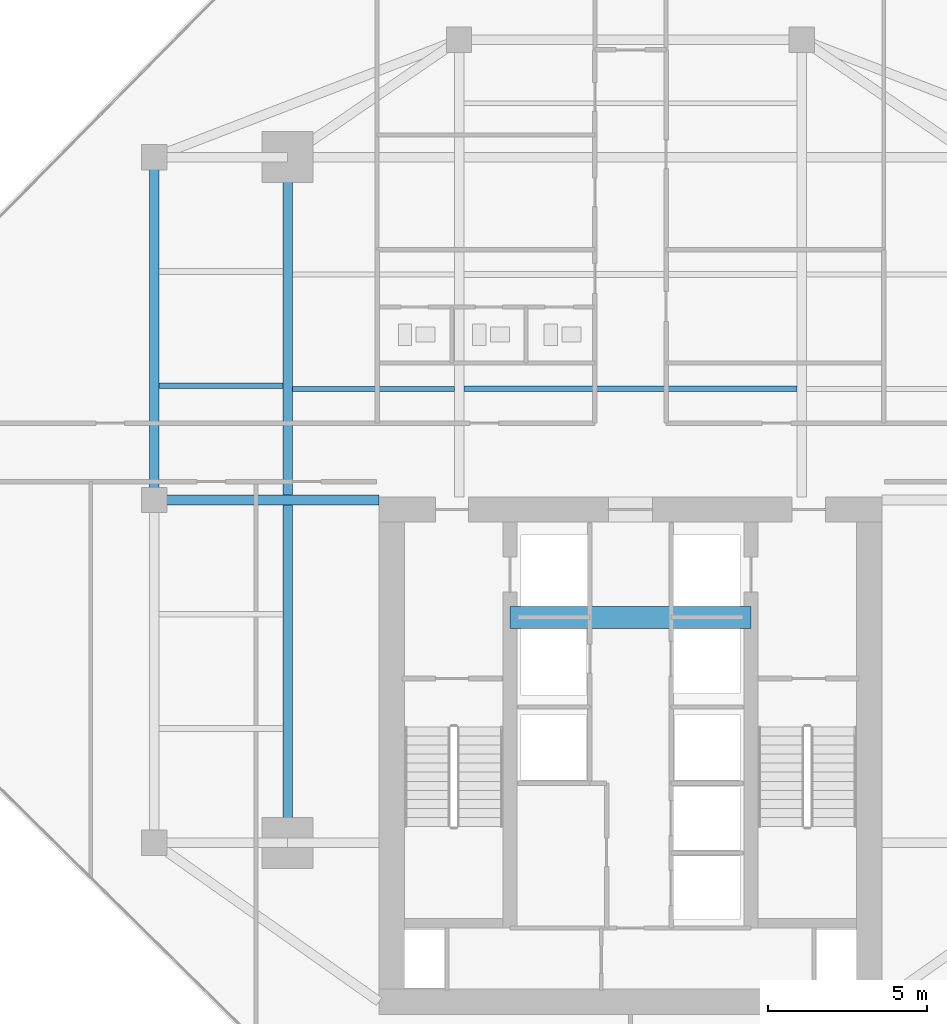
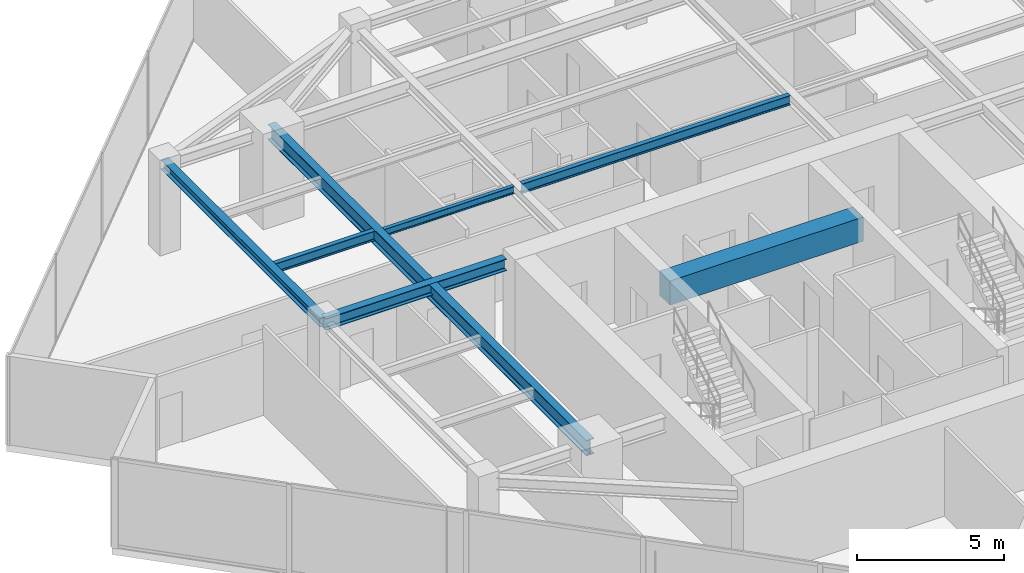
# One storey, part 8 of 24: 7 beams.
"""IFC4 building model written with IfcOpenShell, lengths in metres."""

from ifc_helpers import new_model, si_unit, direction, frame, origin, origin_2d, place, context, subcontext, project, spatial, rectangle, i_section, extrude, source, transform, mapped, material, material_profile, profile_set, type_object, type_shapes, element, save


model = new_model("IFC4")

# Units and contexts
model_context = context("Model", 3, precision=1e-05, world=origin(), true_north=direction((0.0, 1.0)))
body_context = subcontext(model_context, "Body", "Model", "MODEL_VIEW")
ifc_project = project(units=[si_unit("LENGTHUNIT", "METRE"), si_unit("AREAUNIT", "SQUARE_METRE"), si_unit("VOLUMEUNIT", "CUBIC_METRE"), si_unit("PLANEANGLEUNIT", "RADIAN"), si_unit("MASSUNIT", "GRAM", prefix="KILO")], contexts=[model_context])

# Site, building, storey
site_placement = place(None, origin())
site = spatial("IfcSite", under=ifc_project, at=site_placement, CompositionType="ELEMENT")
building_placement = place(site_placement, origin())
building = spatial("IfcBuilding", under=site, at=building_placement, Name="Krantzveldt Concourse Tower", CompositionType="ELEMENT")
storey_placement = place(building_placement, frame((0.0, 0.0, 231.0)))
storey = spatial("IfcBuildingStorey", under=building, at=storey_placement, Name="L56", CompositionType="ELEMENT", Elevation=231.0)

# Beams
ifc_material_1 = material(Name="Steel S355JR", Category="steel")
ifc_material_profile_1 = material_profile(ifc_material_1, i_section(OverallWidth=0.300048828125, OverallDepth=0.639892578125, WebThickness=0.013427734375, FlangeThickness=0.02587890625, FilletRadius=0.027099609375, at=origin_2d()), Name="Steel S355JR", Category="steel")
ifc_profile_set_1 = profile_set([ifc_material_profile_1], Name="Steel S355JR - HEA 650")
beam_type_1 = type_object("IfcBeamType", Name="BM-B-HEA650", PredefinedType="BEAM", material=ifc_profile_set_1)
shared_shape_1 = source(origin(), body_context, "Body", "SweptSolid", [
    extrude(i_section(OverallWidth=0.300048828125, OverallDepth=0.639892578125, WebThickness=0.013427734375, FlangeThickness=0.02587890625, FilletRadius=0.027099609375, at=origin_2d()), origin(), (0.0, 0.0, 1.0), 21.60009765625),
])
type_shapes(beam_type_1, [shared_shape_1])
beam_1_placement = place(storey_placement, frame((25.199951171875, 15.89990234375, 3.35009765625), z_axis=(0.0, 1.0, 0.0), x_axis=(-1.0, 0.0, 0.0)))
element("IfcBeam", 1, at=beam_1_placement, inside=storey, type_object=beam_type_1, Name="L56 Tower Girder BG-MW", PredefinedType="BEAM", context=body_context, shape_type="MappedRepresentation", body=[
    mapped(shared_shape_1, transform((0.0, 0.0, 0.0), x_axis=(1.0, 0.0, 0.0), y_axis=(0.0, 1.0, 0.0), z_axis=(0.0, 0.0, 1.0), scale=1.0)),
])
ifc_material_profile_2 = material_profile(ifc_material_1, i_section(OverallWidth=0.179931640625, OverallDepth=0.39990234375, WebThickness=0.008544921875, FlangeThickness=0.013427734375, FilletRadius=0.02099609375, at=origin_2d()), Name="Steel S355JR", Category="steel")
ifc_profile_set_2 = profile_set([ifc_material_profile_2], Name="Steel S355JR - IPE 400")
beam_type_2 = type_object("IfcBeamType", Name="BM-J-IPE400", PredefinedType="JOIST", material=ifc_profile_set_2)
shared_shape_2 = source(origin(), body_context, "Body", "SweptSolid", [
    extrude(i_section(OverallWidth=0.179931640625, OverallDepth=0.39990234375, WebThickness=0.008544921875, FlangeThickness=0.013427734375, FilletRadius=0.02099609375, at=origin_2d()), origin(), (0.0, 0.0, 1.0), 10.5),
])
beam_2_placement = place(storey_placement, frame((30.75, 30.199951171875, 3.469970703125), z_axis=(1.0, 0.0, 0.0), x_axis=(0.0, 1.0, 0.0)))
element("IfcBeam", 2, at=beam_2_placement, inside=storey, type_object=beam_type_2, Name="L56 Secondary Floor Joist JN-C1", PredefinedType="JOIST", context=body_context, shape_type="MappedRepresentation", body=[
    mapped(shared_shape_2, transform((0.0, 0.0, 0.0), x_axis=(1.0, 0.0, 0.0), y_axis=(0.0, 1.0, 0.0), z_axis=(0.0, 0.0, 1.0), scale=1.0)),
])
ifc_material_2 = material(Name="Concrete C50/60", Category="concrete")
ifc_material_profile_3 = material_profile(ifc_material_2, rectangle(XDim=0.699951171875, YDim=1.0, at=origin_2d()), Name="Concrete C50/60", Category="concrete")
ifc_profile_set_3 = profile_set([ifc_material_profile_3], Name="Concrete C50/60 - RC-CB 700x1000")
beam_type_3 = type_object("IfcBeamType", Name="BM-CB-1000", PredefinedType="LINTEL", material=ifc_profile_set_3)
shared_shape_3 = source(origin(), body_context, "Body", "SweptSolid", [
    extrude(rectangle(XDim=0.699951171875, YDim=1.0, at=origin_2d()), origin(), (0.0, 0.0, 1.0), 7.580078125),
])
type_shapes(beam_type_3, [shared_shape_3])
beam_3_placement = place(storey_placement, frame((32.2099609375, 23.0, 3.169921875), z_axis=(1.0, 0.0, 0.0), x_axis=(0.0, 1.0, 0.0)))
element("IfcBeam", 3, at=beam_3_placement, inside=storey, type_object=beam_type_3, Name="CB-L56-01", PredefinedType="LINTEL", context=body_context, shape_type="MappedRepresentation", body=[
    mapped(shared_shape_3, transform((0.0, 0.0, 0.0), x_axis=(1.0, 0.0, 0.0), y_axis=(0.0, 1.0, 0.0), z_axis=(0.0, 0.0, 1.0), scale=1.0)),
])
ifc_material_profile_4 = material_profile(ifc_material_1, i_section(OverallWidth=0.300048828125, OverallDepth=0.389892578125, WebThickness=0.010986328125, FlangeThickness=0.01904296875, FilletRadius=0.027099609375, at=origin_2d()), Name="Steel S355JR", Category="steel")
ifc_profile_set_4 = profile_set([ifc_material_profile_4], Name="Steel S355JR - HEA 400")
beam_type_4 = type_object("IfcBeamType", Name="BM-SP-HEA400", PredefinedType="SPANDREL", material=ifc_profile_set_4)
shared_shape_4 = source(origin(), body_context, "Body", "SweptSolid", [
    extrude(i_section(OverallWidth=0.300048828125, OverallDepth=0.389892578125, WebThickness=0.010986328125, FlangeThickness=0.01904296875, FilletRadius=0.027099609375, at=origin_2d()), origin(), (0.0, 0.0, 1.0), 10.800048828125),
])
type_shapes(beam_type_4, [shared_shape_4])
beam_4_placement = place(storey_placement, frame((21.0, 26.699951171875, 3.47509765625), z_axis=(0.0, 1.0, 0.0), x_axis=(-1.0, 0.0, 0.0)))
element("IfcBeam", 4, at=beam_4_placement, inside=storey, type_object=beam_type_4, Name="L56 Tower Girder SP-R02", PredefinedType="SPANDREL", context=body_context, shape_type="MappedRepresentation", body=[
    mapped(shared_shape_4, transform((0.0, 0.0, 0.0), x_axis=(1.0, 0.0, 0.0), y_axis=(0.0, 1.0, 0.0), z_axis=(0.0, 0.0, 1.0), scale=1.0)),
])
ifc_material_profile_5 = material_profile(ifc_material_1, i_section(OverallWidth=0.300048828125, OverallDepth=0.489990234375, WebThickness=0.011962890625, FlangeThickness=0.02294921875, FilletRadius=0.027099609375, at=origin_2d()), Name="Steel S355JR", Category="steel")
ifc_profile_set_5 = profile_set([ifc_material_profile_5], Name="Steel S355JR - HEA 500")
beam_type_5 = type_object("IfcBeamType", Name="BM-B-HEA500", PredefinedType="BEAM", material=ifc_profile_set_5)
shared_shape_5 = source(origin(), body_context, "Body", "SweptSolid", [
    extrude(i_section(OverallWidth=0.300048828125, OverallDepth=0.489990234375, WebThickness=0.011962890625, FlangeThickness=0.02294921875, FilletRadius=0.027099609375, at=origin_2d()), origin(), (0.0, 0.0, 1.0), 7.080078125),
])
type_shapes(beam_type_5, [shared_shape_5])
beam_5_placement = place(storey_placement, frame((21.0, 26.699951171875, 3.425048828125), z_axis=(1.0, 0.0, 0.0), x_axis=(0.0, 1.0, 0.0)))
element("IfcBeam", 5, at=beam_5_placement, inside=storey, type_object=beam_type_5, Name="L56 Tower Girder BG-CW2", PredefinedType="BEAM", context=body_context, shape_type="MappedRepresentation", body=[
    mapped(shared_shape_5, transform((0.0, 0.0, 0.0), x_axis=(1.0, 0.0, 0.0), y_axis=(0.0, 1.0, 0.0), z_axis=(0.0, 0.0, 1.0), scale=1.0)),
])
ifc_material_profile_6 = material_profile(ifc_material_1, i_section(OverallWidth=0.14990234375, OverallDepth=0.300048828125, WebThickness=0.007080078125, FlangeThickness=0.0107421875, FilletRadius=0.014892578125, at=origin_2d()), Name="Steel S355JR", Category="steel")
ifc_profile_set_6 = profile_set([ifc_material_profile_6], Name="Steel S355JR - IPE 300")
beam_type_6 = type_object("IfcBeamType", Name="BM-J-IPE300", PredefinedType="JOIST", material=ifc_profile_set_6)
shared_shape_6 = source(origin(), body_context, "Body", "SweptSolid", [
    extrude(i_section(OverallWidth=0.14990234375, OverallDepth=0.300048828125, WebThickness=0.007080078125, FlangeThickness=0.0107421875, FilletRadius=0.014892578125, at=origin_2d()), origin(), (0.0, 0.0, 1.0), 5.099853515625),
])
type_shapes(beam_type_6, [shared_shape_6])
beam_6_placement = place(storey_placement, frame((25.35009765625, 30.199951171875, 3.52001953125), z_axis=(1.0, 0.0, 0.0), x_axis=(0.0, 1.0, 0.0)))
element("IfcBeam", 6, at=beam_6_placement, inside=storey, type_object=beam_type_6, Name="L56 Secondary Floor Joist JN-W1", PredefinedType="JOIST", context=body_context, shape_type="MappedRepresentation", body=[
    mapped(shared_shape_6, transform((0.0, 0.0, 0.0), x_axis=(1.0, 0.0, 0.0), y_axis=(0.0, 1.0, 0.0), z_axis=(0.0, 0.0, 1.0), scale=1.0)),
])
shared_shape_7 = source(origin(), body_context, "Body", "SweptSolid", [
    extrude(i_section(OverallWidth=0.179931640625, OverallDepth=0.39990234375, WebThickness=0.008544921875, FlangeThickness=0.013427734375, FilletRadius=0.02099609375, at=origin_2d()), origin(), (0.0, 0.0, 1.0), 3.900146484375),
])
type_shapes(beam_type_2, [shared_shape_2, shared_shape_7])
beam_7_placement = place(storey_placement, frame((21.14990234375, 30.300048828125, 3.469970703125), z_axis=(1.0, 0.0, 0.0), x_axis=(0.0, 1.0, 0.0)))
element("IfcBeam", 7, at=beam_7_placement, inside=storey, type_object=beam_type_2, Name="L56 Secondary Floor Joist JW-3", PredefinedType="JOIST", context=body_context, shape_type="MappedRepresentation", body=[
    mapped(shared_shape_7, transform((0.0, 0.0, 0.0), x_axis=(1.0, 0.0, 0.0), y_axis=(0.0, 1.0, 0.0), z_axis=(0.0, 0.0, 1.0), scale=1.0)),
])

save(model, "model.ifc")
